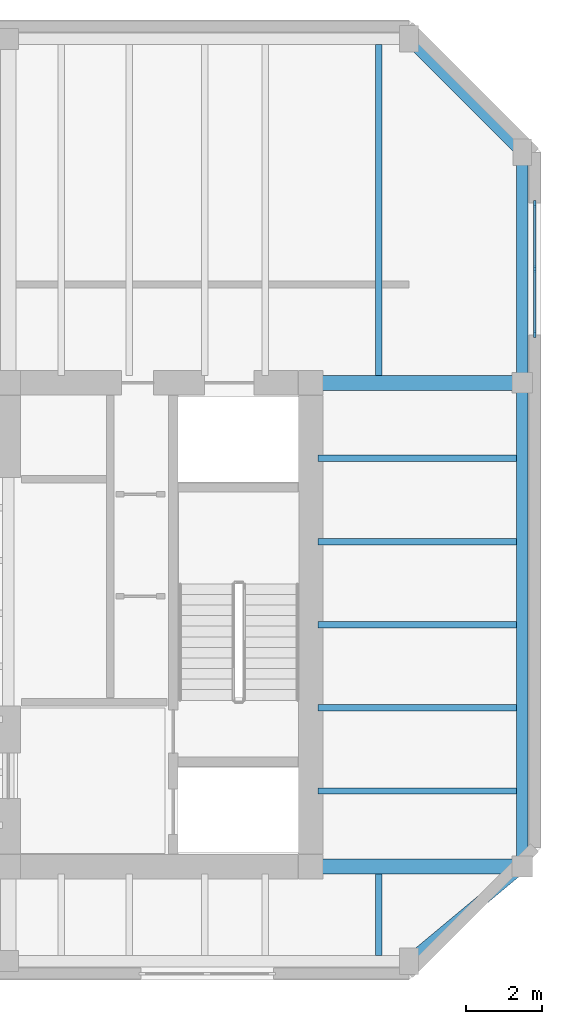
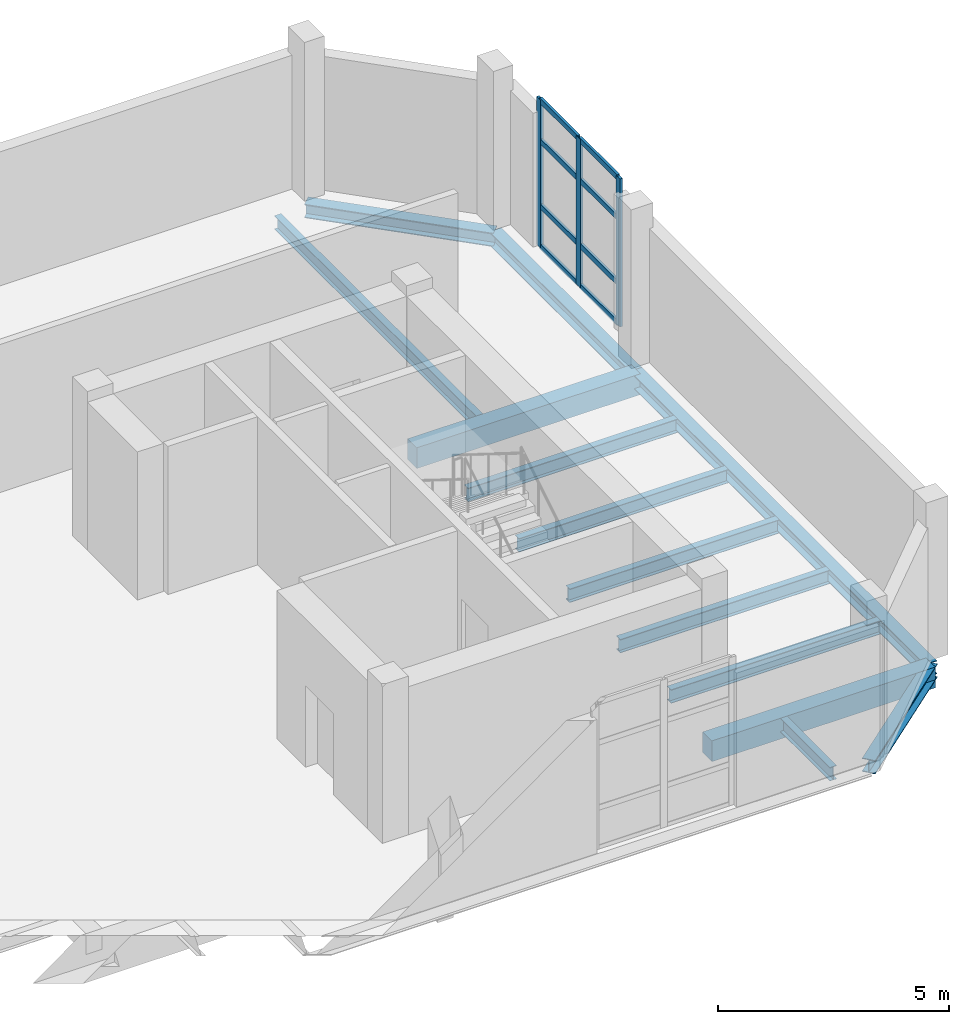
# One storey, part 4 of 7: 13 beams, 11 members, 1 element without a shape of its own.
"""IFC4 building model written with IfcOpenShell, lengths in metres."""

from ifc_helpers import new_model, si_unit, direction, frame, origin, origin_2d, place, context, subcontext, project, spatial, rectangle, i_section, extrude, material, layer, layer_set, material_profile, profile_set, type_object, element, aggregate, save


model = new_model("IFC4")

# Units and contexts
model_context = context("Model", 3, precision=1e-05, world=origin(), true_north=direction((0.0, 1.0)))
body_context = subcontext(model_context, "Body", "Model", "MODEL_VIEW")
ifc_project = project(units=[si_unit("LENGTHUNIT", "METRE"), si_unit("AREAUNIT", "SQUARE_METRE"), si_unit("VOLUMEUNIT", "CUBIC_METRE"), si_unit("PLANEANGLEUNIT", "RADIAN"), si_unit("MASSUNIT", "GRAM", prefix="KILO")], contexts=[model_context])

# Site, building, storey
site_placement = place(None, origin())
site = spatial("IfcSite", under=ifc_project, at=site_placement, CompositionType="ELEMENT")
building_placement = place(site_placement, origin())
building = spatial("IfcBuilding", under=site, at=building_placement, Name="Kranthara Brick Stack", CompositionType="ELEMENT")
storey_placement = place(building_placement, frame((0.0, 0.0, 296.39990234375)))
storey = spatial("IfcBuildingStorey", under=building, at=storey_placement, Name="L78", CompositionType="ELEMENT", Elevation=296.39990234375)

# Beams
ifc_material_1 = material(Name="Post-tensioned concrete C45/55", Category="concrete")
ifc_material_profile_1 = material_profile(ifc_material_1, rectangle(XDim=0.39990234375, YDim=0.550048828125, at=origin_2d()), Name="PT 400x550")
ifc_profile_set_1 = profile_set([ifc_material_profile_1], Name="Post-tensioned concrete C45/55")
beam_type_1 = type_object("IfcBeamType", Name="BM-FLR-PT550", PredefinedType="BEAM", material=ifc_profile_set_1)
for number, where, z_axis, x_axis, name in (
    (1, (43.199951171875, 20.800048828125, -0.554931640625), (1.0, 0.0, 0.0), (0.0, 1.0, 0.0), "L78 Primary Grid Girder 029"),
    (2, (43.199951171875, 33.60009765625, -0.554931640625), (1.0, 0.0, 0.0), (0.0, 1.0, 0.0), "L78 Primary Grid Girder 031"),
):
    element("IfcBeam", number, at=place(storey_placement, frame(where, z_axis=z_axis, x_axis=x_axis)), inside=storey, type_object=beam_type_1, Name=name, PredefinedType="BEAM", context=body_context, shape_type="SweptSolid", body=[
        extrude(rectangle(XDim=0.39990234375, YDim=0.550048828125, at=origin_2d()), origin(), (0.0, 0.0, 1.0), 5.60009765625),
    ])
ifc_material_2 = material(Name="Steel S355", Category="steel")
ifc_material_profile_2 = material_profile(ifc_material_2, i_section(OverallWidth=0.169921875, OverallDepth=0.360107421875, WebThickness=0.008056640625, FlangeThickness=0.0126953125, at=origin_2d()), Name="IPE 360")
ifc_profile_set_2 = profile_set([ifc_material_profile_2], Name="Steel S355")
beam_type_2 = type_object("IfcBeamType", Name="BM-JST-IPE360", PredefinedType="JOIST", material=ifc_profile_set_2)
beam_1_placement = place(storey_placement, frame((45.0, 18.449951171875, -0.4599609375), z_axis=(0.0, 1.0, 0.0), x_axis=(-1.0, 0.0, 0.0)))
element("IfcBeam", 3, at=beam_1_placement, inside=storey, type_object=beam_type_2, Name="L78 South Wing Floor Joist 076", PredefinedType="JOIST", context=body_context, shape_type="SweptSolid", body=[
    extrude(i_section(OverallWidth=0.169921875, OverallDepth=0.360107421875, WebThickness=0.008056640625, FlangeThickness=0.0126953125, at=origin_2d()), origin(), (0.0, 0.0, 1.0), 2.150146484375),
])
beam_2_placement = place(storey_placement, frame((45.0, 33.800048828125, -0.4599609375), z_axis=(0.0, 1.0, 0.0), x_axis=(-1.0, 0.0, 0.0)))
element("IfcBeam", 4, at=beam_2_placement, inside=storey, type_object=beam_type_2, Name="L78 North Wing Floor Joist 077", PredefinedType="JOIST", context=body_context, shape_type="SweptSolid", body=[
    extrude(i_section(OverallWidth=0.169921875, OverallDepth=0.360107421875, WebThickness=0.008056640625, FlangeThickness=0.0126953125, at=origin_2d()), origin(), (0.0, 0.0, 1.0), 8.75),
])
for number, where, z_axis, x_axis, name in (
    (5, (43.39990234375, 22.800048828125, -0.4599609375), (1.0, 0.0, 0.0), (0.0, 1.0, 0.0), "L78 East Wing Floor Joist 079"),
    (6, (43.39990234375, 25.0, -0.4599609375), (1.0, 0.0, 0.0), (0.0, 1.0, 0.0), "L78 East Wing Floor Joist 081"),
    (7, (43.39990234375, 27.199951171875, -0.4599609375), (1.0, 0.0, 0.0), (0.0, 1.0, 0.0), "L78 East Wing Floor Joist 083"),
    (8, (43.39990234375, 29.39990234375, -0.4599609375), (1.0, 0.0, 0.0), (0.0, 1.0, 0.0), "L78 East Wing Floor Joist 085"),
    (9, (43.39990234375, 31.60009765625, -0.4599609375), (1.0, 0.0, 0.0), (0.0, 1.0, 0.0), "L78 East Wing Floor Joist 087"),
):
    element("IfcBeam", number, at=place(storey_placement, frame(where, z_axis=z_axis, x_axis=x_axis)), inside=storey, type_object=beam_type_2, Name=name, PredefinedType="JOIST", context=body_context, shape_type="SweptSolid", body=[
        extrude(i_section(OverallWidth=0.169921875, OverallDepth=0.360107421875, WebThickness=0.008056640625, FlangeThickness=0.0126953125, at=origin_2d()), origin(), (0.0, 0.0, 1.0), 5.25),
    ])
ifc_material_3 = material(Name="Steel S355", Category="steel")
ifc_material_profile_3 = material_profile(ifc_material_3, i_section(OverallWidth=0.300048828125, OverallDepth=0.360107421875, WebThickness=0.012451171875, FlangeThickness=0.0224609375, at=origin_2d()), Name="HEB 360")
ifc_profile_set_3 = profile_set([ifc_material_profile_3], Name="Steel S355")
beam_type_3 = type_object("IfcBeamType", Name="BM-STL-HEB360", PredefinedType="SPANDREL", material=ifc_profile_set_3)
beam_3_placement = place(storey_placement, frame((48.800048828125, 20.800048828125, -0.4599609375), z_axis=(0.0, 1.0, 0.0), x_axis=(-1.0, 0.0, 0.0)))
element("IfcBeam", 10, at=beam_3_placement, inside=storey, type_object=beam_type_3, Name="L78 Perimeter Spandrel Beam 015", PredefinedType="SPANDREL", context=body_context, shape_type="SweptSolid", body=[
    extrude(i_section(OverallWidth=0.300048828125, OverallDepth=0.360107421875, WebThickness=0.012451171875, FlangeThickness=0.0224609375, at=origin_2d()), origin(), (0.0, 0.0, 1.0), 12.800048828125),
])
beam_4_placement = place(storey_placement, frame((48.800048828125, 33.60009765625, -0.4599609375), z_axis=(0.0, 1.0, 0.0), x_axis=(-1.0, 0.0, 0.0)))
element("IfcBeam", 11, at=beam_4_placement, inside=storey, type_object=beam_type_3, Name="L78 Perimeter Spandrel Beam 016", PredefinedType="SPANDREL", context=body_context, shape_type="SweptSolid", body=[
    extrude(i_section(OverallWidth=0.300048828125, OverallDepth=0.360107421875, WebThickness=0.012451171875, FlangeThickness=0.0224609375, at=origin_2d()), origin(), (0.0, 0.0, 1.0), 6.099853515625),
])
beam_5_placement = place(storey_placement, frame((45.800048828125, 18.300048828125, -0.4599609375), z_axis=(0.768221279597, 0.640184399664, 0.0), x_axis=(-0.640184399664, 0.768221279597, 0.0)))
element("IfcBeam", 12, at=beam_5_placement, inside=storey, type_object=beam_type_3, Name="L78 Chamfer Corner Spandrel 018", PredefinedType="SPANDREL", context=body_context, shape_type="SweptSolid", body=[
    extrude(i_section(OverallWidth=0.300048828125, OverallDepth=0.360107421875, WebThickness=0.012451171875, FlangeThickness=0.0224609375, at=origin_2d()), origin(), (0.0, 0.0, 1.0), 3.905029296875),
])
beam_6_placement = place(storey_placement, frame((45.800048828125, 42.699951171875, -0.4599609375), z_axis=(0.707106781187, -0.707106781187, 0.0), x_axis=(0.707106781187, 0.707106781187, 0.0)))
element("IfcBeam", 13, at=beam_6_placement, inside=storey, type_object=beam_type_3, Name="L78 Chamfer Corner Spandrel 020", PredefinedType="SPANDREL", context=body_context, shape_type="SweptSolid", body=[
    extrude(i_section(OverallWidth=0.300048828125, OverallDepth=0.360107421875, WebThickness=0.012451171875, FlangeThickness=0.0224609375, at=origin_2d()), origin(), (0.0, 0.0, 1.0), 4.24267578125),
])

# Curtain wall, members
ifc_material_4 = material(Name="Bronze anodised aluminium and low-E glass", Category="aluminium")
ifc_layer = layer(ifc_material_4, 0.25)
ifc_layer_set = layer_set([ifc_layer], Name="Bronze anodised aluminium and low-E glass")
curtain_wall_type = type_object("IfcCurtainWallType", Name="CW-SYS6-CROWN", PredefinedType="USERDEFINED", material=ifc_layer_set)
curtain_wall_placement = place(storey_placement, origin())
curtain_wall = element("IfcCurtainWall", 14, at=curtain_wall_placement, inside=storey, type_object=curtain_wall_type, Name="L78 Curtain Wall CW6-L78-03", ObjectType="UNITISED CURTAIN WALL", PredefinedType="USERDEFINED")
ifc_material_5 = material(Name="Bronze anodised aluminium 6063-T6", Category="aluminium")
ifc_material_profile_4 = material_profile(ifc_material_5, rectangle(XDim=0.06494140625, YDim=0.179931640625, at=origin_2d()), Name="ALU MULLION 65x180")
ifc_profile_set_4 = profile_set([ifc_material_profile_4], Name="Bronze anodised aluminium 6063-T6")
member_type_1 = type_object("IfcMemberType", Name="CWM-65x180", PredefinedType="MULLION", material=ifc_profile_set_4)
member_1_placement = place(storey_placement, frame((49.1298828125, 38.32958984375, 0.0), z_axis=(0.0, 0.0, 1.0), x_axis=(1.0, 0.0, 0.0)))
member_1 = element("IfcMember", 15, at=member_1_placement, type_object=member_type_1, Name="CW mullion 1", PredefinedType="MULLION", context=body_context, shape_type="SweptSolid", body=[
    extrude(rectangle(XDim=0.06494140625, YDim=0.179931640625, at=origin_2d()), origin(), (0.0, 0.0, 1.0), 3.920166015625),
])
member_2_placement = place(storey_placement, frame((49.1298828125, 36.612060546875, 0.0), z_axis=(0.0, 0.0, 1.0), x_axis=(1.0, 0.0, 0.0)))
member_2 = element("IfcMember", 16, at=member_2_placement, type_object=member_type_1, Name="CW mullion 2", PredefinedType="MULLION", context=body_context, shape_type="SweptSolid", body=[
    extrude(rectangle(XDim=0.06494140625, YDim=0.179931640625, at=origin_2d()), origin(), (0.0, 0.0, 1.0), 3.920166015625),
])
member_3_placement = place(storey_placement, frame((49.1298828125, 34.89453125, 0.0), z_axis=(0.0, 0.0, 1.0), x_axis=(1.0, 0.0, 0.0)))
member_3 = element("IfcMember", 17, at=member_3_placement, type_object=member_type_1, Name="CW mullion 3", PredefinedType="MULLION", context=body_context, shape_type="SweptSolid", body=[
    extrude(rectangle(XDim=0.06494140625, YDim=0.179931640625, at=origin_2d()), origin(), (0.0, 0.0, 1.0), 3.920166015625),
])
ifc_material_6 = material(Name="Bronze anodised aluminium 6063-T6", Category="aluminium")
ifc_material_profile_5 = material_profile(ifc_material_6, rectangle(XDim=0.06494140625, YDim=0.139892578125, at=origin_2d()), Name="ALU TRANSOM 65x140")
ifc_profile_set_5 = profile_set([ifc_material_profile_5], Name="Bronze anodised aluminium 6063-T6")
member_type_2 = type_object("IfcMemberType", Name="CWT-65x140", PredefinedType="USERDEFINED", material=ifc_profile_set_5)
member_4_placement = place(storey_placement, frame((49.1298828125, 38.297119140625, 0.03271484375), z_axis=(0.0, -1.0, 0.0), x_axis=(1.0, 0.0, 0.0)))
member_4 = element("IfcMember", 18, at=member_4_placement, type_object=member_type_2, Name="CW transom 1.1", ObjectType="TRANSOM", PredefinedType="USERDEFINED", context=body_context, shape_type="SweptSolid", body=[
    extrude(rectangle(XDim=0.06494140625, YDim=0.139892578125, at=origin_2d()), origin(), (0.0, 0.0, 1.0), 1.652587890625),
])
member_5_placement = place(storey_placement, frame((49.1298828125, 38.297119140625, 1.09765625), z_axis=(0.0, -1.0, 0.0), x_axis=(1.0, 0.0, 0.0)))
member_5 = element("IfcMember", 19, at=member_5_placement, type_object=member_type_2, Name="CW transom 1.2", ObjectType="TRANSOM", PredefinedType="USERDEFINED", context=body_context, shape_type="SweptSolid", body=[
    extrude(rectangle(XDim=0.06494140625, YDim=0.139892578125, at=origin_2d()), origin(), (0.0, 0.0, 1.0), 1.652587890625),
])
member_6_placement = place(storey_placement, frame((49.1298828125, 38.297119140625, 2.822509765625), z_axis=(0.0, -1.0, 0.0), x_axis=(1.0, 0.0, 0.0)))
member_6 = element("IfcMember", 20, at=member_6_placement, type_object=member_type_2, Name="CW transom 1.3", ObjectType="TRANSOM", PredefinedType="USERDEFINED", context=body_context, shape_type="SweptSolid", body=[
    extrude(rectangle(XDim=0.06494140625, YDim=0.139892578125, at=origin_2d()), origin(), (0.0, 0.0, 1.0), 1.652587890625),
])
member_7_placement = place(storey_placement, frame((49.1298828125, 38.297119140625, 3.8876953125), z_axis=(0.0, -1.0, 0.0), x_axis=(1.0, 0.0, 0.0)))
member_7 = element("IfcMember", 21, at=member_7_placement, type_object=member_type_2, Name="CW transom 1.4", ObjectType="TRANSOM", PredefinedType="USERDEFINED", context=body_context, shape_type="SweptSolid", body=[
    extrude(rectangle(XDim=0.06494140625, YDim=0.139892578125, at=origin_2d()), origin(), (0.0, 0.0, 1.0), 1.652587890625),
])
member_8_placement = place(storey_placement, frame((49.1298828125, 36.57958984375, 0.03271484375), z_axis=(0.0, -1.0, 0.0), x_axis=(1.0, 0.0, 0.0)))
member_8 = element("IfcMember", 22, at=member_8_placement, type_object=member_type_2, Name="CW transom 2.1", ObjectType="TRANSOM", PredefinedType="USERDEFINED", context=body_context, shape_type="SweptSolid", body=[
    extrude(rectangle(XDim=0.06494140625, YDim=0.139892578125, at=origin_2d()), origin(), (0.0, 0.0, 1.0), 1.652587890625),
])
member_9_placement = place(storey_placement, frame((49.1298828125, 36.57958984375, 1.09765625), z_axis=(0.0, -1.0, 0.0), x_axis=(1.0, 0.0, 0.0)))
member_9 = element("IfcMember", 23, at=member_9_placement, type_object=member_type_2, Name="CW transom 2.2", ObjectType="TRANSOM", PredefinedType="USERDEFINED", context=body_context, shape_type="SweptSolid", body=[
    extrude(rectangle(XDim=0.06494140625, YDim=0.139892578125, at=origin_2d()), origin(), (0.0, 0.0, 1.0), 1.652587890625),
])
member_10_placement = place(storey_placement, frame((49.1298828125, 36.57958984375, 2.822509765625), z_axis=(0.0, -1.0, 0.0), x_axis=(1.0, 0.0, 0.0)))
member_10 = element("IfcMember", 24, at=member_10_placement, type_object=member_type_2, Name="CW transom 2.3", ObjectType="TRANSOM", PredefinedType="USERDEFINED", context=body_context, shape_type="SweptSolid", body=[
    extrude(rectangle(XDim=0.06494140625, YDim=0.139892578125, at=origin_2d()), origin(), (0.0, 0.0, 1.0), 1.652587890625),
])
member_11_placement = place(storey_placement, frame((49.1298828125, 36.57958984375, 3.8876953125), z_axis=(0.0, -1.0, 0.0), x_axis=(1.0, 0.0, 0.0)))
member_11 = element("IfcMember", 25, at=member_11_placement, type_object=member_type_2, Name="CW transom 2.4", ObjectType="TRANSOM", PredefinedType="USERDEFINED", context=body_context, shape_type="SweptSolid", body=[
    extrude(rectangle(XDim=0.06494140625, YDim=0.139892578125, at=origin_2d()), origin(), (0.0, 0.0, 1.0), 1.652587890625),
])
aggregate(curtain_wall, [member_1, member_2, member_3, member_4, member_5, member_6, member_7, member_8, member_9, member_10, member_11])

save(model, "model.ifc")
